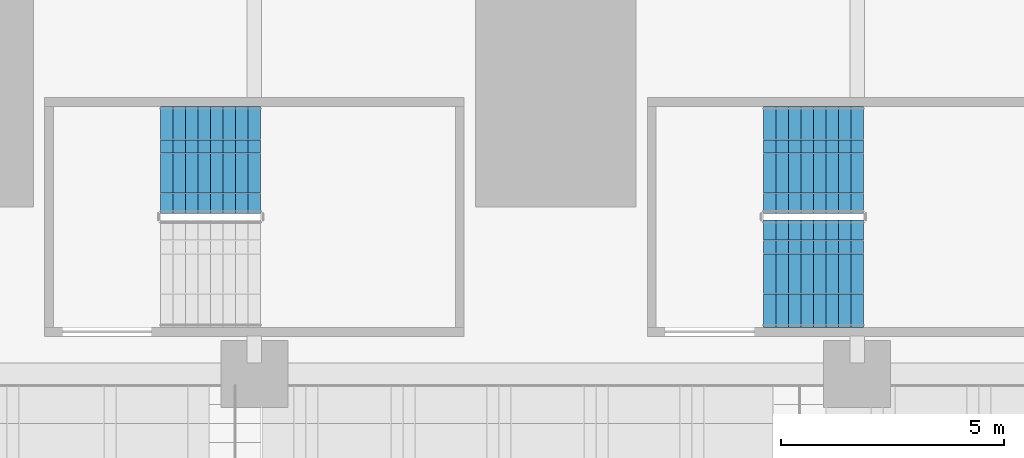
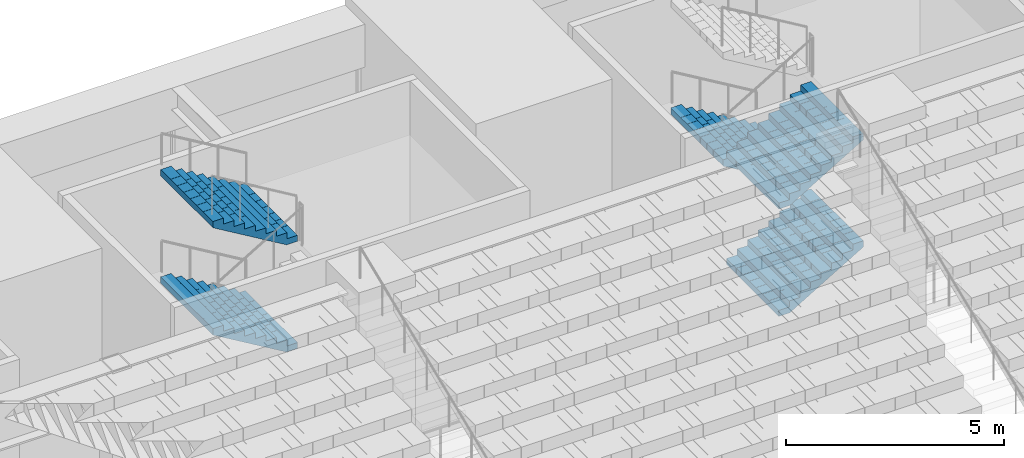
# One storey, part 47 of 61: 5 stair flights, 2 elements without a shape of their own.
"""IFC4 building model written with IfcOpenShell, lengths in metres."""

from ifc_helpers import new_model, si_unit, direction, frame, origin, place, context, subcontext, project, spatial, polyline, outline, extrude, material, type_object, element, aggregate, save


model = new_model("IFC4")

# Units and contexts
model_context = context("Model", 3, precision=1e-05, world=origin(), true_north=direction((0.0, 1.0)))
body_context = subcontext(model_context, "Body", "Model", "MODEL_VIEW")
ifc_project = project(units=[si_unit("LENGTHUNIT", "METRE"), si_unit("AREAUNIT", "SQUARE_METRE"), si_unit("VOLUMEUNIT", "CUBIC_METRE"), si_unit("PLANEANGLEUNIT", "RADIAN"), si_unit("MASSUNIT", "GRAM", prefix="KILO")], contexts=[model_context])

# Site, building, storey
site_placement = place(None, origin())
site = spatial("IfcSite", under=ifc_project, at=site_placement, CompositionType="ELEMENT")
building_placement = place(site_placement, origin())
building = spatial("IfcBuilding", under=site, at=building_placement, Name="Corbelhall Arena Tower", CompositionType="ELEMENT")
storey_placement = place(building_placement, frame((0.0, 0.0, 31.0)))
storey = spatial("IfcBuildingStorey", under=building, at=storey_placement, Name="L04", CompositionType="ELEMENT", Elevation=31.0)

# Stair, stair flights
ifc_material = material(Name="Reinforced concrete C40/50", Category="concrete")
stair_type = type_object("IfcStairType", Name="AR-EXIT-STAIR", PredefinedType="HALF_TURN_STAIR", material=ifc_material)
stair_1_placement = place(storey_placement, origin())
stair_1 = element("IfcStair", 1, at=stair_1_placement, inside=storey, type_object=stair_type, Name="L04 exit stair AS11", PredefinedType="HALF_TURN_STAIR")
stair_flight_type = type_object("IfcStairFlightType", Name="AR-EXIT-FLIGHT", PredefinedType="STRAIGHT", material=ifc_material)
stair_flight_1_placement = place(storey_placement, frame((6.889892578125, 34.050048828125, 1.5), z_axis=(0.0, 0.0, 1.0), x_axis=(-1.0, 0.0, 0.0)))
stair_flight_1 = element("IfcStairFlight", 2, at=stair_flight_1_placement, type_object=stair_flight_type, Name="AS11 flight 2", NumberOfRisers=9, NumberOfTreads=8, PredefinedType="STRAIGHT", RiserHeight=0.166666667, TreadLength=0.28, context=body_context, shape_type="SweptSolid", body=[
    extrude(outline(polyline([(0.0, 0.0), (0.0, 0.166748046875), (0.280029296875, 0.166748046875), (0.280029296875, 0.333251953125), (0.56005859375, 0.333251953125), (0.56005859375, 0.5), (0.840087890625, 0.5), (0.840087890625, 0.666748046875), (1.1201171875, 0.666748046875), (1.1201171875, 0.833251953125), (1.39990234375, 0.833251953125), (1.39990234375, 1.0), (1.679931640625, 1.0), (1.679931640625, 1.166748046875), (1.9599609375, 1.166748046875), (1.9599609375, 1.333251953125), (2.239990234375, 1.333251953125), (2.239990234375, 1.5), (2.239990234375, 1.158935546875), (0.29296875, 0.0), (0.0, 0.0)])), frame((0.0, 1.199951171875, 0.0), z_axis=(0.0, -1.0, 0.0), x_axis=(1.0, 0.0, 0.0)), (0.0, 0.0, 1.0), 0.449951171875),
    extrude(outline(polyline([(0.0, 0.0), (0.0, 0.166748046875), (0.280029296875, 0.166748046875), (0.280029296875, 0.333251953125), (0.56005859375, 0.333251953125), (0.56005859375, 0.5), (0.840087890625, 0.5), (0.840087890625, 0.666748046875), (1.1201171875, 0.666748046875), (1.1201171875, 0.833251953125), (1.39990234375, 0.833251953125), (1.39990234375, 1.0), (1.679931640625, 1.0), (1.679931640625, 1.166748046875), (1.9599609375, 1.166748046875), (1.9599609375, 1.333251953125), (2.239990234375, 1.333251953125), (2.239990234375, 1.5), (2.239990234375, 1.158935546875), (0.29296875, 0.0), (0.0, 0.0)])), frame((0.0, 0.745849609375, 0.0), z_axis=(0.0, -1.0, 0.0), x_axis=(1.0, 0.0, 0.0)), (0.0, 0.0, 1.0), 0.295166015625),
    extrude(outline(polyline([(0.0, 0.0), (0.0, 0.166748046875), (0.280029296875, 0.166748046875), (0.280029296875, 0.333251953125), (0.56005859375, 0.333251953125), (0.56005859375, 0.5), (0.840087890625, 0.5), (0.840087890625, 0.666748046875), (1.1201171875, 0.666748046875), (1.1201171875, 0.833251953125), (1.39990234375, 0.833251953125), (1.39990234375, 1.0), (1.679931640625, 1.0), (1.679931640625, 1.166748046875), (1.9599609375, 1.166748046875), (1.9599609375, 1.333251953125), (2.239990234375, 1.333251953125), (2.239990234375, 1.5), (2.239990234375, 1.158935546875), (0.29296875, 0.0), (0.0, 0.0)])), frame((0.0, 0.44677734375, 0.0), z_axis=(0.0, -1.0, 0.0), x_axis=(1.0, 0.0, 0.0)), (0.0, 0.0, 1.0), 0.295166015625),
    extrude(outline(polyline([(0.0, 0.0), (0.0, 0.166748046875), (0.280029296875, 0.166748046875), (0.280029296875, 0.333251953125), (0.56005859375, 0.333251953125), (0.56005859375, 0.5), (0.840087890625, 0.5), (0.840087890625, 0.666748046875), (1.1201171875, 0.666748046875), (1.1201171875, 0.833251953125), (1.39990234375, 0.833251953125), (1.39990234375, 1.0), (1.679931640625, 1.0), (1.679931640625, 1.166748046875), (1.9599609375, 1.166748046875), (1.9599609375, 1.333251953125), (2.239990234375, 1.333251953125), (2.239990234375, 1.5), (2.239990234375, 1.158935546875), (0.29296875, 0.0), (0.0, 0.0)])), frame((0.0, 0.147705078125, 0.0), z_axis=(0.0, -1.0, 0.0), x_axis=(1.0, 0.0, 0.0)), (0.0, 0.0, 1.0), 0.295166015625),
    extrude(outline(polyline([(0.0, 0.0), (0.0, 0.166748046875), (0.280029296875, 0.166748046875), (0.280029296875, 0.333251953125), (0.56005859375, 0.333251953125), (0.56005859375, 0.5), (0.840087890625, 0.5), (0.840087890625, 0.666748046875), (1.1201171875, 0.666748046875), (1.1201171875, 0.833251953125), (1.39990234375, 0.833251953125), (1.39990234375, 1.0), (1.679931640625, 1.0), (1.679931640625, 1.166748046875), (1.9599609375, 1.166748046875), (1.9599609375, 1.333251953125), (2.239990234375, 1.333251953125), (2.239990234375, 1.5), (2.239990234375, 1.158935546875), (0.29296875, 0.0), (0.0, 0.0)])), frame((0.0, -0.151611328125, 0.0), z_axis=(0.0, -1.0, 0.0), x_axis=(1.0, 0.0, 0.0)), (0.0, 0.0, 1.0), 0.295166015625),
    extrude(outline(polyline([(0.0, 0.0), (0.0, 0.166748046875), (0.280029296875, 0.166748046875), (0.280029296875, 0.333251953125), (0.56005859375, 0.333251953125), (0.56005859375, 0.5), (0.840087890625, 0.5), (0.840087890625, 0.666748046875), (1.1201171875, 0.666748046875), (1.1201171875, 0.833251953125), (1.39990234375, 0.833251953125), (1.39990234375, 1.0), (1.679931640625, 1.0), (1.679931640625, 1.166748046875), (1.9599609375, 1.166748046875), (1.9599609375, 1.333251953125), (2.239990234375, 1.333251953125), (2.239990234375, 1.5), (2.239990234375, 1.158935546875), (0.29296875, 0.0), (0.0, 0.0)])), frame((0.0, -0.45068359375, 0.0), z_axis=(0.0, -1.0, 0.0), x_axis=(1.0, 0.0, 0.0)), (0.0, 0.0, 1.0), 0.295166015625),
    extrude(outline(polyline([(0.0, 0.0), (0.0, 0.166748046875), (0.280029296875, 0.166748046875), (0.280029296875, 0.333251953125), (0.56005859375, 0.333251953125), (0.56005859375, 0.5), (0.840087890625, 0.5), (0.840087890625, 0.666748046875), (1.1201171875, 0.666748046875), (1.1201171875, 0.833251953125), (1.39990234375, 0.833251953125), (1.39990234375, 1.0), (1.679931640625, 1.0), (1.679931640625, 1.166748046875), (1.9599609375, 1.166748046875), (1.9599609375, 1.333251953125), (2.239990234375, 1.333251953125), (2.239990234375, 1.5), (2.239990234375, 1.158935546875), (0.29296875, 0.0), (0.0, 0.0)])), frame((0.0, -0.75, 0.0), z_axis=(0.0, -1.0, 0.0), x_axis=(1.0, 0.0, 0.0)), (0.0, 0.0, 1.0), 0.449951171875),
])
stair_flight_2_placement = place(storey_placement, frame((6.889892578125, 34.050048828125, 4.5), z_axis=(0.0, 0.0, 1.0), x_axis=(-1.0, 0.0, 0.0)))
stair_flight_2 = element("IfcStairFlight", 3, at=stair_flight_2_placement, type_object=stair_flight_type, Name="AS11 flight 4", NumberOfRisers=9, NumberOfTreads=8, PredefinedType="STRAIGHT", RiserHeight=0.166666667, TreadLength=0.28, context=body_context, shape_type="SweptSolid", body=[
    extrude(outline(polyline([(0.0, 0.0), (0.0, 0.166748046875), (0.280029296875, 0.166748046875), (0.280029296875, 0.333251953125), (0.56005859375, 0.333251953125), (0.56005859375, 0.5), (0.840087890625, 0.5), (0.840087890625, 0.666748046875), (1.1201171875, 0.666748046875), (1.1201171875, 0.833251953125), (1.39990234375, 0.833251953125), (1.39990234375, 1.0), (1.679931640625, 1.0), (1.679931640625, 1.166748046875), (1.9599609375, 1.166748046875), (1.9599609375, 1.333251953125), (2.239990234375, 1.333251953125), (2.239990234375, 1.5), (2.239990234375, 1.158935546875), (0.29296875, 0.0), (0.0, 0.0)])), frame((0.0, 1.199951171875, 0.0), z_axis=(0.0, -1.0, 0.0), x_axis=(1.0, 0.0, 0.0)), (0.0, 0.0, 1.0), 0.449951171875),
    extrude(outline(polyline([(0.0, 0.0), (0.0, 0.166748046875), (0.280029296875, 0.166748046875), (0.280029296875, 0.333251953125), (0.56005859375, 0.333251953125), (0.56005859375, 0.5), (0.840087890625, 0.5), (0.840087890625, 0.666748046875), (1.1201171875, 0.666748046875), (1.1201171875, 0.833251953125), (1.39990234375, 0.833251953125), (1.39990234375, 1.0), (1.679931640625, 1.0), (1.679931640625, 1.166748046875), (1.9599609375, 1.166748046875), (1.9599609375, 1.333251953125), (2.239990234375, 1.333251953125), (2.239990234375, 1.5), (2.239990234375, 1.158935546875), (0.29296875, 0.0), (0.0, 0.0)])), frame((0.0, 0.745849609375, 0.0), z_axis=(0.0, -1.0, 0.0), x_axis=(1.0, 0.0, 0.0)), (0.0, 0.0, 1.0), 0.295166015625),
    extrude(outline(polyline([(0.0, 0.0), (0.0, 0.166748046875), (0.280029296875, 0.166748046875), (0.280029296875, 0.333251953125), (0.56005859375, 0.333251953125), (0.56005859375, 0.5), (0.840087890625, 0.5), (0.840087890625, 0.666748046875), (1.1201171875, 0.666748046875), (1.1201171875, 0.833251953125), (1.39990234375, 0.833251953125), (1.39990234375, 1.0), (1.679931640625, 1.0), (1.679931640625, 1.166748046875), (1.9599609375, 1.166748046875), (1.9599609375, 1.333251953125), (2.239990234375, 1.333251953125), (2.239990234375, 1.5), (2.239990234375, 1.158935546875), (0.29296875, 0.0), (0.0, 0.0)])), frame((0.0, 0.44677734375, 0.0), z_axis=(0.0, -1.0, 0.0), x_axis=(1.0, 0.0, 0.0)), (0.0, 0.0, 1.0), 0.295166015625),
    extrude(outline(polyline([(0.0, 0.0), (0.0, 0.166748046875), (0.280029296875, 0.166748046875), (0.280029296875, 0.333251953125), (0.56005859375, 0.333251953125), (0.56005859375, 0.5), (0.840087890625, 0.5), (0.840087890625, 0.666748046875), (1.1201171875, 0.666748046875), (1.1201171875, 0.833251953125), (1.39990234375, 0.833251953125), (1.39990234375, 1.0), (1.679931640625, 1.0), (1.679931640625, 1.166748046875), (1.9599609375, 1.166748046875), (1.9599609375, 1.333251953125), (2.239990234375, 1.333251953125), (2.239990234375, 1.5), (2.239990234375, 1.158935546875), (0.29296875, 0.0), (0.0, 0.0)])), frame((0.0, 0.147705078125, 0.0), z_axis=(0.0, -1.0, 0.0), x_axis=(1.0, 0.0, 0.0)), (0.0, 0.0, 1.0), 0.295166015625),
    extrude(outline(polyline([(0.0, 0.0), (0.0, 0.166748046875), (0.280029296875, 0.166748046875), (0.280029296875, 0.333251953125), (0.56005859375, 0.333251953125), (0.56005859375, 0.5), (0.840087890625, 0.5), (0.840087890625, 0.666748046875), (1.1201171875, 0.666748046875), (1.1201171875, 0.833251953125), (1.39990234375, 0.833251953125), (1.39990234375, 1.0), (1.679931640625, 1.0), (1.679931640625, 1.166748046875), (1.9599609375, 1.166748046875), (1.9599609375, 1.333251953125), (2.239990234375, 1.333251953125), (2.239990234375, 1.5), (2.239990234375, 1.158935546875), (0.29296875, 0.0), (0.0, 0.0)])), frame((0.0, -0.151611328125, 0.0), z_axis=(0.0, -1.0, 0.0), x_axis=(1.0, 0.0, 0.0)), (0.0, 0.0, 1.0), 0.295166015625),
    extrude(outline(polyline([(0.0, 0.0), (0.0, 0.166748046875), (0.280029296875, 0.166748046875), (0.280029296875, 0.333251953125), (0.56005859375, 0.333251953125), (0.56005859375, 0.5), (0.840087890625, 0.5), (0.840087890625, 0.666748046875), (1.1201171875, 0.666748046875), (1.1201171875, 0.833251953125), (1.39990234375, 0.833251953125), (1.39990234375, 1.0), (1.679931640625, 1.0), (1.679931640625, 1.166748046875), (1.9599609375, 1.166748046875), (1.9599609375, 1.333251953125), (2.239990234375, 1.333251953125), (2.239990234375, 1.5), (2.239990234375, 1.158935546875), (0.29296875, 0.0), (0.0, 0.0)])), frame((0.0, -0.45068359375, 0.0), z_axis=(0.0, -1.0, 0.0), x_axis=(1.0, 0.0, 0.0)), (0.0, 0.0, 1.0), 0.295166015625),
    extrude(outline(polyline([(0.0, 0.0), (0.0, 0.166748046875), (0.280029296875, 0.166748046875), (0.280029296875, 0.333251953125), (0.56005859375, 0.333251953125), (0.56005859375, 0.5), (0.840087890625, 0.5), (0.840087890625, 0.666748046875), (1.1201171875, 0.666748046875), (1.1201171875, 0.833251953125), (1.39990234375, 0.833251953125), (1.39990234375, 1.0), (1.679931640625, 1.0), (1.679931640625, 1.166748046875), (1.9599609375, 1.166748046875), (1.9599609375, 1.333251953125), (2.239990234375, 1.333251953125), (2.239990234375, 1.5), (2.239990234375, 1.158935546875), (0.29296875, 0.0), (0.0, 0.0)])), frame((0.0, -0.75, 0.0), z_axis=(0.0, -1.0, 0.0), x_axis=(1.0, 0.0, 0.0)), (0.0, 0.0, 1.0), 0.449951171875),
])
aggregate(stair_1, [stair_flight_1, stair_flight_2])

stair_2_placement = place(storey_placement, origin())
stair_2 = element("IfcStair", 4, at=stair_2_placement, inside=storey, type_object=stair_type, Name="L04 exit stair AS12", PredefinedType="HALF_TURN_STAIR")
stair_flight_3_placement = place(storey_placement, frame((18.14990234375, 31.5, 0.0), z_axis=(0.0, 0.0, 1.0), x_axis=(1.0, 0.0, 0.0)))
stair_flight_3 = element("IfcStairFlight", 5, at=stair_flight_3_placement, type_object=stair_flight_type, Name="AS12 flight 1", NumberOfRisers=9, NumberOfTreads=8, PredefinedType="STRAIGHT", RiserHeight=0.166666667, TreadLength=0.28, context=body_context, shape_type="SweptSolid", body=[
    extrude(outline(polyline([(0.0, 0.0), (0.0, 0.166748046875), (0.280029296875, 0.166748046875), (0.280029296875, 0.333251953125), (0.56005859375, 0.333251953125), (0.56005859375, 0.5), (0.840087890625, 0.5), (0.840087890625, 0.666748046875), (1.1201171875, 0.666748046875), (1.1201171875, 0.833251953125), (1.39990234375, 0.833251953125), (1.39990234375, 1.0), (1.679931640625, 1.0), (1.679931640625, 1.166748046875), (1.9599609375, 1.166748046875), (1.9599609375, 1.333251953125), (2.239990234375, 1.333251953125), (2.239990234375, 1.5), (2.239990234375, 1.158935546875), (0.29296875, 0.0), (0.0, 0.0)])), frame((0.0, 1.199951171875, 0.0), z_axis=(0.0, -1.0, 0.0), x_axis=(1.0, 0.0, 0.0)), (0.0, 0.0, 1.0), 0.449951171875),
    extrude(outline(polyline([(0.0, 0.0), (0.0, 0.166748046875), (0.280029296875, 0.166748046875), (0.280029296875, 0.333251953125), (0.56005859375, 0.333251953125), (0.56005859375, 0.5), (0.840087890625, 0.5), (0.840087890625, 0.666748046875), (1.1201171875, 0.666748046875), (1.1201171875, 0.833251953125), (1.39990234375, 0.833251953125), (1.39990234375, 1.0), (1.679931640625, 1.0), (1.679931640625, 1.166748046875), (1.9599609375, 1.166748046875), (1.9599609375, 1.333251953125), (2.239990234375, 1.333251953125), (2.239990234375, 1.5), (2.239990234375, 1.158935546875), (0.29296875, 0.0), (0.0, 0.0)])), frame((0.0, 0.745849609375, 0.0), z_axis=(0.0, -1.0, 0.0), x_axis=(1.0, 0.0, 0.0)), (0.0, 0.0, 1.0), 0.295166015625),
    extrude(outline(polyline([(0.0, 0.0), (0.0, 0.166748046875), (0.280029296875, 0.166748046875), (0.280029296875, 0.333251953125), (0.56005859375, 0.333251953125), (0.56005859375, 0.5), (0.840087890625, 0.5), (0.840087890625, 0.666748046875), (1.1201171875, 0.666748046875), (1.1201171875, 0.833251953125), (1.39990234375, 0.833251953125), (1.39990234375, 1.0), (1.679931640625, 1.0), (1.679931640625, 1.166748046875), (1.9599609375, 1.166748046875), (1.9599609375, 1.333251953125), (2.239990234375, 1.333251953125), (2.239990234375, 1.5), (2.239990234375, 1.158935546875), (0.29296875, 0.0), (0.0, 0.0)])), frame((0.0, 0.44677734375, 0.0), z_axis=(0.0, -1.0, 0.0), x_axis=(1.0, 0.0, 0.0)), (0.0, 0.0, 1.0), 0.295166015625),
    extrude(outline(polyline([(0.0, 0.0), (0.0, 0.166748046875), (0.280029296875, 0.166748046875), (0.280029296875, 0.333251953125), (0.56005859375, 0.333251953125), (0.56005859375, 0.5), (0.840087890625, 0.5), (0.840087890625, 0.666748046875), (1.1201171875, 0.666748046875), (1.1201171875, 0.833251953125), (1.39990234375, 0.833251953125), (1.39990234375, 1.0), (1.679931640625, 1.0), (1.679931640625, 1.166748046875), (1.9599609375, 1.166748046875), (1.9599609375, 1.333251953125), (2.239990234375, 1.333251953125), (2.239990234375, 1.5), (2.239990234375, 1.158935546875), (0.29296875, 0.0), (0.0, 0.0)])), frame((0.0, 0.147705078125, 0.0), z_axis=(0.0, -1.0, 0.0), x_axis=(1.0, 0.0, 0.0)), (0.0, 0.0, 1.0), 0.295166015625),
    extrude(outline(polyline([(0.0, 0.0), (0.0, 0.166748046875), (0.280029296875, 0.166748046875), (0.280029296875, 0.333251953125), (0.56005859375, 0.333251953125), (0.56005859375, 0.5), (0.840087890625, 0.5), (0.840087890625, 0.666748046875), (1.1201171875, 0.666748046875), (1.1201171875, 0.833251953125), (1.39990234375, 0.833251953125), (1.39990234375, 1.0), (1.679931640625, 1.0), (1.679931640625, 1.166748046875), (1.9599609375, 1.166748046875), (1.9599609375, 1.333251953125), (2.239990234375, 1.333251953125), (2.239990234375, 1.5), (2.239990234375, 1.158935546875), (0.29296875, 0.0), (0.0, 0.0)])), frame((0.0, -0.151611328125, 0.0), z_axis=(0.0, -1.0, 0.0), x_axis=(1.0, 0.0, 0.0)), (0.0, 0.0, 1.0), 0.295166015625),
    extrude(outline(polyline([(0.0, 0.0), (0.0, 0.166748046875), (0.280029296875, 0.166748046875), (0.280029296875, 0.333251953125), (0.56005859375, 0.333251953125), (0.56005859375, 0.5), (0.840087890625, 0.5), (0.840087890625, 0.666748046875), (1.1201171875, 0.666748046875), (1.1201171875, 0.833251953125), (1.39990234375, 0.833251953125), (1.39990234375, 1.0), (1.679931640625, 1.0), (1.679931640625, 1.166748046875), (1.9599609375, 1.166748046875), (1.9599609375, 1.333251953125), (2.239990234375, 1.333251953125), (2.239990234375, 1.5), (2.239990234375, 1.158935546875), (0.29296875, 0.0), (0.0, 0.0)])), frame((0.0, -0.45068359375, 0.0), z_axis=(0.0, -1.0, 0.0), x_axis=(1.0, 0.0, 0.0)), (0.0, 0.0, 1.0), 0.295166015625),
    extrude(outline(polyline([(0.0, 0.0), (0.0, 0.166748046875), (0.280029296875, 0.166748046875), (0.280029296875, 0.333251953125), (0.56005859375, 0.333251953125), (0.56005859375, 0.5), (0.840087890625, 0.5), (0.840087890625, 0.666748046875), (1.1201171875, 0.666748046875), (1.1201171875, 0.833251953125), (1.39990234375, 0.833251953125), (1.39990234375, 1.0), (1.679931640625, 1.0), (1.679931640625, 1.166748046875), (1.9599609375, 1.166748046875), (1.9599609375, 1.333251953125), (2.239990234375, 1.333251953125), (2.239990234375, 1.5), (2.239990234375, 1.158935546875), (0.29296875, 0.0), (0.0, 0.0)])), frame((0.0, -0.75, 0.0), z_axis=(0.0, -1.0, 0.0), x_axis=(1.0, 0.0, 0.0)), (0.0, 0.0, 1.0), 0.449951171875),
])
stair_flight_4_placement = place(storey_placement, frame((20.389892578125, 34.050048828125, 1.5), z_axis=(0.0, 0.0, 1.0), x_axis=(-1.0, 0.0, 0.0)))
stair_flight_4 = element("IfcStairFlight", 6, at=stair_flight_4_placement, type_object=stair_flight_type, Name="AS12 flight 2", NumberOfRisers=9, NumberOfTreads=8, PredefinedType="STRAIGHT", RiserHeight=0.166666667, TreadLength=0.28, context=body_context, shape_type="SweptSolid", body=[
    extrude(outline(polyline([(0.0, 0.0), (0.0, 0.166748046875), (0.280029296875, 0.166748046875), (0.280029296875, 0.333251953125), (0.56005859375, 0.333251953125), (0.56005859375, 0.5), (0.840087890625, 0.5), (0.840087890625, 0.666748046875), (1.1201171875, 0.666748046875), (1.1201171875, 0.833251953125), (1.39990234375, 0.833251953125), (1.39990234375, 1.0), (1.679931640625, 1.0), (1.679931640625, 1.166748046875), (1.9599609375, 1.166748046875), (1.9599609375, 1.333251953125), (2.239990234375, 1.333251953125), (2.239990234375, 1.5), (2.239990234375, 1.158935546875), (0.29296875, 0.0), (0.0, 0.0)])), frame((0.0, 1.199951171875, 0.0), z_axis=(0.0, -1.0, 0.0), x_axis=(1.0, 0.0, 0.0)), (0.0, 0.0, 1.0), 0.449951171875),
    extrude(outline(polyline([(0.0, 0.0), (0.0, 0.166748046875), (0.280029296875, 0.166748046875), (0.280029296875, 0.333251953125), (0.56005859375, 0.333251953125), (0.56005859375, 0.5), (0.840087890625, 0.5), (0.840087890625, 0.666748046875), (1.1201171875, 0.666748046875), (1.1201171875, 0.833251953125), (1.39990234375, 0.833251953125), (1.39990234375, 1.0), (1.679931640625, 1.0), (1.679931640625, 1.166748046875), (1.9599609375, 1.166748046875), (1.9599609375, 1.333251953125), (2.239990234375, 1.333251953125), (2.239990234375, 1.5), (2.239990234375, 1.158935546875), (0.29296875, 0.0), (0.0, 0.0)])), frame((0.0, 0.745849609375, 0.0), z_axis=(0.0, -1.0, 0.0), x_axis=(1.0, 0.0, 0.0)), (0.0, 0.0, 1.0), 0.295166015625),
    extrude(outline(polyline([(0.0, 0.0), (0.0, 0.166748046875), (0.280029296875, 0.166748046875), (0.280029296875, 0.333251953125), (0.56005859375, 0.333251953125), (0.56005859375, 0.5), (0.840087890625, 0.5), (0.840087890625, 0.666748046875), (1.1201171875, 0.666748046875), (1.1201171875, 0.833251953125), (1.39990234375, 0.833251953125), (1.39990234375, 1.0), (1.679931640625, 1.0), (1.679931640625, 1.166748046875), (1.9599609375, 1.166748046875), (1.9599609375, 1.333251953125), (2.239990234375, 1.333251953125), (2.239990234375, 1.5), (2.239990234375, 1.158935546875), (0.29296875, 0.0), (0.0, 0.0)])), frame((0.0, 0.44677734375, 0.0), z_axis=(0.0, -1.0, 0.0), x_axis=(1.0, 0.0, 0.0)), (0.0, 0.0, 1.0), 0.295166015625),
    extrude(outline(polyline([(0.0, 0.0), (0.0, 0.166748046875), (0.280029296875, 0.166748046875), (0.280029296875, 0.333251953125), (0.56005859375, 0.333251953125), (0.56005859375, 0.5), (0.840087890625, 0.5), (0.840087890625, 0.666748046875), (1.1201171875, 0.666748046875), (1.1201171875, 0.833251953125), (1.39990234375, 0.833251953125), (1.39990234375, 1.0), (1.679931640625, 1.0), (1.679931640625, 1.166748046875), (1.9599609375, 1.166748046875), (1.9599609375, 1.333251953125), (2.239990234375, 1.333251953125), (2.239990234375, 1.5), (2.239990234375, 1.158935546875), (0.29296875, 0.0), (0.0, 0.0)])), frame((0.0, 0.147705078125, 0.0), z_axis=(0.0, -1.0, 0.0), x_axis=(1.0, 0.0, 0.0)), (0.0, 0.0, 1.0), 0.295166015625),
    extrude(outline(polyline([(0.0, 0.0), (0.0, 0.166748046875), (0.280029296875, 0.166748046875), (0.280029296875, 0.333251953125), (0.56005859375, 0.333251953125), (0.56005859375, 0.5), (0.840087890625, 0.5), (0.840087890625, 0.666748046875), (1.1201171875, 0.666748046875), (1.1201171875, 0.833251953125), (1.39990234375, 0.833251953125), (1.39990234375, 1.0), (1.679931640625, 1.0), (1.679931640625, 1.166748046875), (1.9599609375, 1.166748046875), (1.9599609375, 1.333251953125), (2.239990234375, 1.333251953125), (2.239990234375, 1.5), (2.239990234375, 1.158935546875), (0.29296875, 0.0), (0.0, 0.0)])), frame((0.0, -0.151611328125, 0.0), z_axis=(0.0, -1.0, 0.0), x_axis=(1.0, 0.0, 0.0)), (0.0, 0.0, 1.0), 0.295166015625),
    extrude(outline(polyline([(0.0, 0.0), (0.0, 0.166748046875), (0.280029296875, 0.166748046875), (0.280029296875, 0.333251953125), (0.56005859375, 0.333251953125), (0.56005859375, 0.5), (0.840087890625, 0.5), (0.840087890625, 0.666748046875), (1.1201171875, 0.666748046875), (1.1201171875, 0.833251953125), (1.39990234375, 0.833251953125), (1.39990234375, 1.0), (1.679931640625, 1.0), (1.679931640625, 1.166748046875), (1.9599609375, 1.166748046875), (1.9599609375, 1.333251953125), (2.239990234375, 1.333251953125), (2.239990234375, 1.5), (2.239990234375, 1.158935546875), (0.29296875, 0.0), (0.0, 0.0)])), frame((0.0, -0.45068359375, 0.0), z_axis=(0.0, -1.0, 0.0), x_axis=(1.0, 0.0, 0.0)), (0.0, 0.0, 1.0), 0.295166015625),
    extrude(outline(polyline([(0.0, 0.0), (0.0, 0.166748046875), (0.280029296875, 0.166748046875), (0.280029296875, 0.333251953125), (0.56005859375, 0.333251953125), (0.56005859375, 0.5), (0.840087890625, 0.5), (0.840087890625, 0.666748046875), (1.1201171875, 0.666748046875), (1.1201171875, 0.833251953125), (1.39990234375, 0.833251953125), (1.39990234375, 1.0), (1.679931640625, 1.0), (1.679931640625, 1.166748046875), (1.9599609375, 1.166748046875), (1.9599609375, 1.333251953125), (2.239990234375, 1.333251953125), (2.239990234375, 1.5), (2.239990234375, 1.158935546875), (0.29296875, 0.0), (0.0, 0.0)])), frame((0.0, -0.75, 0.0), z_axis=(0.0, -1.0, 0.0), x_axis=(1.0, 0.0, 0.0)), (0.0, 0.0, 1.0), 0.449951171875),
])
stair_flight_5_placement = place(storey_placement, frame((18.14990234375, 31.5, 3.0), z_axis=(0.0, 0.0, 1.0), x_axis=(1.0, 0.0, 0.0)))
stair_flight_5 = element("IfcStairFlight", 7, at=stair_flight_5_placement, type_object=stair_flight_type, Name="AS12 flight 3", NumberOfRisers=9, NumberOfTreads=8, PredefinedType="STRAIGHT", RiserHeight=0.166666667, TreadLength=0.28, context=body_context, shape_type="SweptSolid", body=[
    extrude(outline(polyline([(0.0, 0.0), (0.0, 0.166748046875), (0.280029296875, 0.166748046875), (0.280029296875, 0.333251953125), (0.56005859375, 0.333251953125), (0.56005859375, 0.5), (0.840087890625, 0.5), (0.840087890625, 0.666748046875), (1.1201171875, 0.666748046875), (1.1201171875, 0.833251953125), (1.39990234375, 0.833251953125), (1.39990234375, 1.0), (1.679931640625, 1.0), (1.679931640625, 1.166748046875), (1.9599609375, 1.166748046875), (1.9599609375, 1.333251953125), (2.239990234375, 1.333251953125), (2.239990234375, 1.5), (2.239990234375, 1.158935546875), (0.29296875, 0.0), (0.0, 0.0)])), frame((0.0, 1.199951171875, 0.0), z_axis=(0.0, -1.0, 0.0), x_axis=(1.0, 0.0, 0.0)), (0.0, 0.0, 1.0), 0.449951171875),
    extrude(outline(polyline([(0.0, 0.0), (0.0, 0.166748046875), (0.280029296875, 0.166748046875), (0.280029296875, 0.333251953125), (0.56005859375, 0.333251953125), (0.56005859375, 0.5), (0.840087890625, 0.5), (0.840087890625, 0.666748046875), (1.1201171875, 0.666748046875), (1.1201171875, 0.833251953125), (1.39990234375, 0.833251953125), (1.39990234375, 1.0), (1.679931640625, 1.0), (1.679931640625, 1.166748046875), (1.9599609375, 1.166748046875), (1.9599609375, 1.333251953125), (2.239990234375, 1.333251953125), (2.239990234375, 1.5), (2.239990234375, 1.158935546875), (0.29296875, 0.0), (0.0, 0.0)])), frame((0.0, 0.745849609375, 0.0), z_axis=(0.0, -1.0, 0.0), x_axis=(1.0, 0.0, 0.0)), (0.0, 0.0, 1.0), 0.295166015625),
    extrude(outline(polyline([(0.0, 0.0), (0.0, 0.166748046875), (0.280029296875, 0.166748046875), (0.280029296875, 0.333251953125), (0.56005859375, 0.333251953125), (0.56005859375, 0.5), (0.840087890625, 0.5), (0.840087890625, 0.666748046875), (1.1201171875, 0.666748046875), (1.1201171875, 0.833251953125), (1.39990234375, 0.833251953125), (1.39990234375, 1.0), (1.679931640625, 1.0), (1.679931640625, 1.166748046875), (1.9599609375, 1.166748046875), (1.9599609375, 1.333251953125), (2.239990234375, 1.333251953125), (2.239990234375, 1.5), (2.239990234375, 1.158935546875), (0.29296875, 0.0), (0.0, 0.0)])), frame((0.0, 0.44677734375, 0.0), z_axis=(0.0, -1.0, 0.0), x_axis=(1.0, 0.0, 0.0)), (0.0, 0.0, 1.0), 0.295166015625),
    extrude(outline(polyline([(0.0, 0.0), (0.0, 0.166748046875), (0.280029296875, 0.166748046875), (0.280029296875, 0.333251953125), (0.56005859375, 0.333251953125), (0.56005859375, 0.5), (0.840087890625, 0.5), (0.840087890625, 0.666748046875), (1.1201171875, 0.666748046875), (1.1201171875, 0.833251953125), (1.39990234375, 0.833251953125), (1.39990234375, 1.0), (1.679931640625, 1.0), (1.679931640625, 1.166748046875), (1.9599609375, 1.166748046875), (1.9599609375, 1.333251953125), (2.239990234375, 1.333251953125), (2.239990234375, 1.5), (2.239990234375, 1.158935546875), (0.29296875, 0.0), (0.0, 0.0)])), frame((0.0, 0.147705078125, 0.0), z_axis=(0.0, -1.0, 0.0), x_axis=(1.0, 0.0, 0.0)), (0.0, 0.0, 1.0), 0.295166015625),
    extrude(outline(polyline([(0.0, 0.0), (0.0, 0.166748046875), (0.280029296875, 0.166748046875), (0.280029296875, 0.333251953125), (0.56005859375, 0.333251953125), (0.56005859375, 0.5), (0.840087890625, 0.5), (0.840087890625, 0.666748046875), (1.1201171875, 0.666748046875), (1.1201171875, 0.833251953125), (1.39990234375, 0.833251953125), (1.39990234375, 1.0), (1.679931640625, 1.0), (1.679931640625, 1.166748046875), (1.9599609375, 1.166748046875), (1.9599609375, 1.333251953125), (2.239990234375, 1.333251953125), (2.239990234375, 1.5), (2.239990234375, 1.158935546875), (0.29296875, 0.0), (0.0, 0.0)])), frame((0.0, -0.151611328125, 0.0), z_axis=(0.0, -1.0, 0.0), x_axis=(1.0, 0.0, 0.0)), (0.0, 0.0, 1.0), 0.295166015625),
    extrude(outline(polyline([(0.0, 0.0), (0.0, 0.166748046875), (0.280029296875, 0.166748046875), (0.280029296875, 0.333251953125), (0.56005859375, 0.333251953125), (0.56005859375, 0.5), (0.840087890625, 0.5), (0.840087890625, 0.666748046875), (1.1201171875, 0.666748046875), (1.1201171875, 0.833251953125), (1.39990234375, 0.833251953125), (1.39990234375, 1.0), (1.679931640625, 1.0), (1.679931640625, 1.166748046875), (1.9599609375, 1.166748046875), (1.9599609375, 1.333251953125), (2.239990234375, 1.333251953125), (2.239990234375, 1.5), (2.239990234375, 1.158935546875), (0.29296875, 0.0), (0.0, 0.0)])), frame((0.0, -0.45068359375, 0.0), z_axis=(0.0, -1.0, 0.0), x_axis=(1.0, 0.0, 0.0)), (0.0, 0.0, 1.0), 0.295166015625),
    extrude(outline(polyline([(0.0, 0.0), (0.0, 0.166748046875), (0.280029296875, 0.166748046875), (0.280029296875, 0.333251953125), (0.56005859375, 0.333251953125), (0.56005859375, 0.5), (0.840087890625, 0.5), (0.840087890625, 0.666748046875), (1.1201171875, 0.666748046875), (1.1201171875, 0.833251953125), (1.39990234375, 0.833251953125), (1.39990234375, 1.0), (1.679931640625, 1.0), (1.679931640625, 1.166748046875), (1.9599609375, 1.166748046875), (1.9599609375, 1.333251953125), (2.239990234375, 1.333251953125), (2.239990234375, 1.5), (2.239990234375, 1.158935546875), (0.29296875, 0.0), (0.0, 0.0)])), frame((0.0, -0.75, 0.0), z_axis=(0.0, -1.0, 0.0), x_axis=(1.0, 0.0, 0.0)), (0.0, 0.0, 1.0), 0.449951171875),
])
aggregate(stair_2, [stair_flight_3, stair_flight_4, stair_flight_5])

save(model, "model.ifc")
